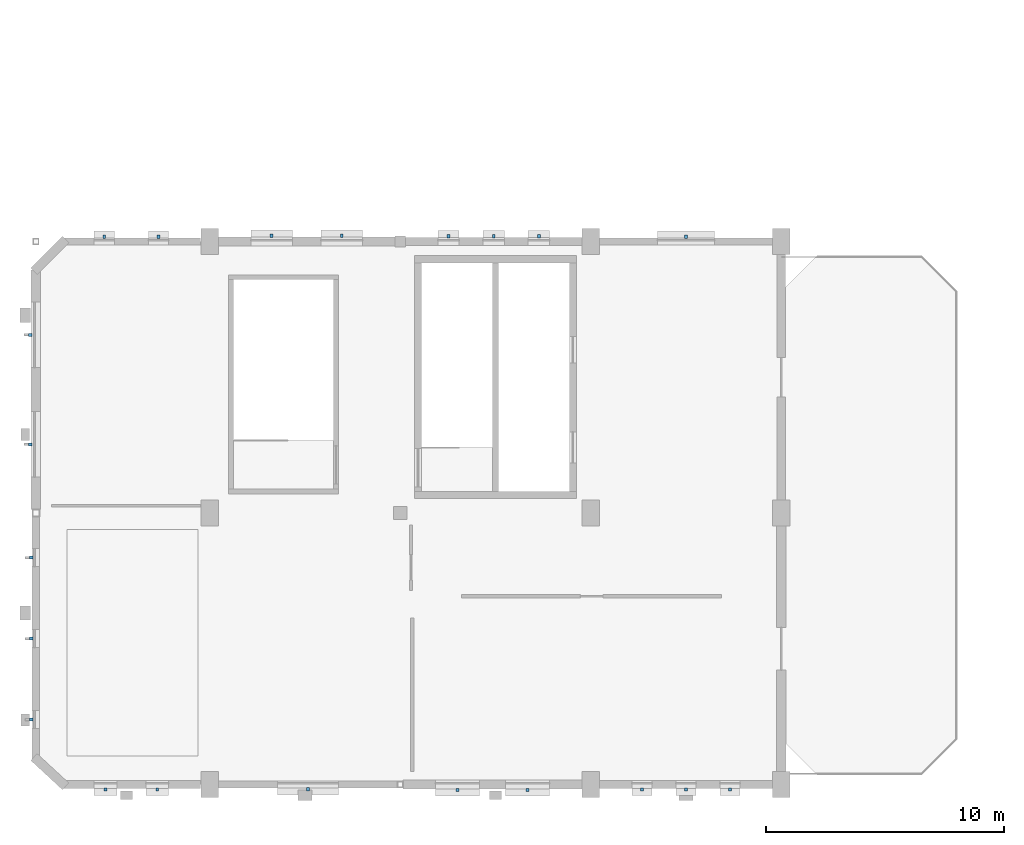
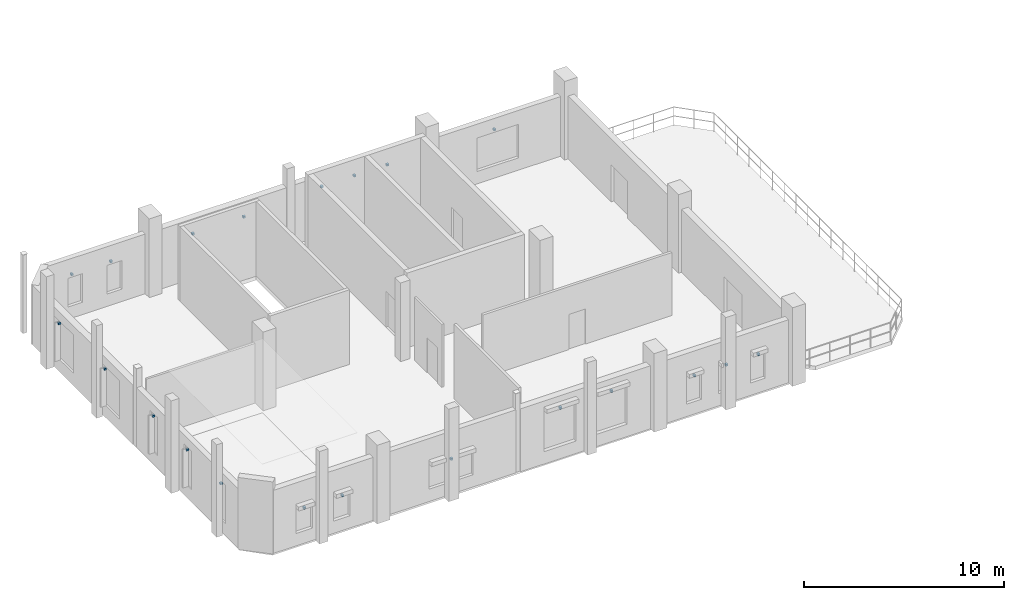
# One storey, part 26 of 28: 21 discrete accessories.
"""IFC4 building model written with IfcOpenShell, lengths in metres."""

import ifcopenshell
import ifcopenshell.guid

model = None  # the IFC model being written
_history = None  # IfcOwnerHistory: only IFC2X3 demands one
_inside = {}  # id of a spatial element -> (the spatial element, [elements in it])
_under = {}  # id of a project, library or spatial element -> (it, [spatial elements below it])
_declared = {}  # id of a project -> (the project, [libraries it declares])
_typed = {}  # id of a type object -> (the type object, [elements of that type])
_made_of = {}  # id of a material, layer set ... -> (it, [elements and type objects made of it])


def new_model(schema):
    """Start an empty IFC model of exactly this schema.

    Asked for "IFC4X3", IfcOpenShell would pick the latest addendum, in which some entities
    have other attributes; the version numbers below select the first issue.
    IFC2X3 requires an IfcOwnerHistory on every rooted entity: one is made here for all.
    """
    global model, _history
    if schema == "IFC4X3":
        model = ifcopenshell.file(schema_version=(4, 3, 0, 0))
    else:
        model = ifcopenshell.file(schema=schema)
    _inside.clear()
    _under.clear()
    _declared.clear()
    _typed.clear()
    _made_of.clear()
    _history = None
    if model.schema == "IFC2X3":
        org = make("IfcOrganization", Name="unknown")
        user = make(
            "IfcPersonAndOrganization",
            ThePerson=make("IfcPerson", FamilyName="unknown"),
            TheOrganization=org,
        )
        app = make(
            "IfcApplication",
            ApplicationDeveloper=org,
            Version="unknown",
            ApplicationFullName="unknown",
            ApplicationIdentifier="unknown",
        )
        _history = make(
            "IfcOwnerHistory",
            OwningUser=user,
            OwningApplication=app,
            ChangeAction="ADDED",
            CreationDate=0,
        )
    return model


def make(cls, **values):
    """One entity of the class cls with the attributes given. An attribute that is None is left unset."""
    return model.create_entity(
        cls, **{name: value for name, value in values.items() if value is not None}
    )


def rooted(cls, **values):
    """An entity with a GlobalId (a new one), such as an element, a storey or a relation."""
    return make(cls, GlobalId=ifcopenshell.guid.new(), OwnerHistory=_history, **values)


def si_unit(unit_type, name, prefix=None):
    """IfcSIUnit, for example si_unit("LENGTHUNIT", "METRE", prefix="MILLI")."""
    return make("IfcSIUnit", UnitType=unit_type, Prefix=prefix, Name=name)


def assignment(units):
    """IfcUnitAssignment: the units of a project."""
    return None if units is None else make("IfcUnitAssignment", Units=units)


def point(xyz):
    """IfcCartesianPoint."""
    return None if xyz is None else make("IfcCartesianPoint", Coordinates=xyz)


def direction(xyz):
    """IfcDirection."""
    return None if xyz is None else make("IfcDirection", DirectionRatios=xyz)


def frame(location, z_axis=None, x_axis=None):
    """IfcAxis2Placement3D, a coordinate frame: its origin and axes. An axis left out is left unset."""
    return make(
        "IfcAxis2Placement3D",
        Location=point(location),
        Axis=direction(z_axis),
        RefDirection=direction(x_axis),
    )


def frame_2d(location, x_axis=None):
    """IfcAxis2Placement2D, a coordinate frame in the plane: its origin and x axis."""
    return make(
        "IfcAxis2Placement2D", Location=point(location), RefDirection=direction(x_axis)
    )


def origin():
    """The frame at (0, 0, 0) with its axes left unset."""
    return frame((0.0, 0.0, 0.0))


def origin_2d():
    """The frame at (0, 0) in the plane with its x axis left unset."""
    return frame_2d((0.0, 0.0))


def place(relative_to, where):
    """IfcLocalPlacement: puts the frame where relative to a parent placement (None: the world)."""
    return make(
        "IfcLocalPlacement", PlacementRelTo=relative_to, RelativePlacement=where
    )


def context(
    kind, dimensions, precision=None, world=None, true_north=None, identifier=None
):
    """IfcGeometricRepresentationContext, for example the 3D "Model" context."""
    return make(
        "IfcGeometricRepresentationContext",
        ContextIdentifier=identifier,
        ContextType=kind,
        CoordinateSpaceDimension=dimensions,
        Precision=precision,
        WorldCoordinateSystem=world,
        TrueNorth=true_north,
    )


def subcontext(parent, identifier, kind, view, scale=None):
    """IfcGeometricRepresentationSubContext, for example "Body" below "Model"."""
    return make(
        "IfcGeometricRepresentationSubContext",
        ContextIdentifier=identifier,
        ContextType=kind,
        ParentContext=parent,
        TargetScale=scale,
        TargetView=view,
    )


def project(units=None, contexts=None):
    """IfcProject with its units and contexts."""
    return rooted(
        "IfcProject",
        Name="project",
        RepresentationContexts=contexts,
        UnitsInContext=assignment(units),
    )


def spatial(cls, under=None, at=None, **own):
    """A site, building, storey or space (cls), placed at a placement, below another one or the project."""
    s = rooted(cls, ObjectPlacement=at, **own)
    if under is not None:
        _under.setdefault(under.id(), (under, []))[1].append(s)
    return s


def profile(cls, at=None, kind="AREA", **sizes):
    """A parametric profile (cls). Its sizes go by their IFC names, for example OverallWidth=200.0."""
    return make(cls, ProfileType=kind, Position=at, **sizes)


def rectangle(**sizes):
    """IfcRectangleProfileDef."""
    return profile("IfcRectangleProfileDef", **sizes)


def extrude(swept, where, along, depth):
    """IfcExtrudedAreaSolid: the profile swept, set in the frame where, extruded along a direction by depth."""
    return make(
        "IfcExtrudedAreaSolid",
        SweptArea=swept,
        Position=where,
        ExtrudedDirection=direction(along),
        Depth=depth,
    )


def shape(context_of_items, identifier, shape_type, items):
    """IfcShapeRepresentation: the items that make up one representation, for example the "Body"."""
    return make(
        "IfcShapeRepresentation",
        ContextOfItems=context_of_items,
        RepresentationIdentifier=identifier,
        RepresentationType=shape_type,
        Items=items,
    )


def material(Name=None, Category=None):
    """IfcMaterial."""
    return make("IfcMaterial", Name=Name, Category=Category)


def made_of(thing, what):
    """Note that an element or type object is made of a material, layer set ...; save() writes the relation."""
    if what is not None:
        _made_of.setdefault(what.id(), (what, []))[1].append(thing)
    return thing


def type_object(cls, material=None, **own):
    """A type object (cls), such as IfcWallType, which elements share."""
    return made_of(rooted(cls, **own), material)


def element(
    cls,
    number,
    at=None,
    inside=None,
    cuts=None,
    type_object=None,
    material=None,
    context=None,
    identifier="Body",
    shape_type=None,
    held_by="IfcProductDefinitionShape",
    body=None,
    shapes=None,
    **own,
):
    """One element of the class cls, such as IfcWall. Its Tag is "e" and its number.

    at: its placement. inside: the storey or other place that contains it. cuts: it is an
    opening in that element (IfcRelVoidsElement). A single representation is given by context,
    identifier, shape_type and body (its items); several are given by shapes. held_by: the class
    of the entity that holds the representations. save() writes the other relations.
    """
    e = rooted(cls, Tag="e%d" % number, ObjectPlacement=at, **own)
    if body is not None:
        shapes = [shape(context, identifier, shape_type, body)]
    if shapes is not None:
        e.Representation = make(held_by, Representations=shapes)
    if inside is not None:
        _inside.setdefault(inside.id(), (inside, []))[1].append(e)
    if cuts is not None:
        rooted(
            "IfcRelVoidsElement", RelatingBuildingElement=cuts, RelatedOpeningElement=e
        )
    if type_object is not None:
        _typed.setdefault(type_object.id(), (type_object, []))[1].append(e)
    return made_of(e, material)


def aggregate(whole, parts):
    """IfcRelAggregates: a whole, such as a stair, and the parts it consists of."""
    return rooted("IfcRelAggregates", RelatingObject=whole, RelatedObjects=parts)


def save(model, path):
    """Write the relations noted so far, then the file.

    IfcRelAggregates (storeys below a building ...), IfcRelContainedInSpatialStructure (elements
    in a storey), IfcRelDefinesByType, IfcRelAssociatesMaterial and IfcRelDeclares: one each for
    every whole, place, type object, material and project.
    """
    for whole, parts in _under.values():
        aggregate(whole, parts)
    for where, things in _inside.values():
        rooted(
            "IfcRelContainedInSpatialStructure",
            RelatedElements=things,
            RelatingStructure=where,
        )
    for kind, things in _typed.values():
        rooted("IfcRelDefinesByType", RelatedObjects=things, RelatingType=kind)
    for what, things in _made_of.values():
        rooted("IfcRelAssociatesMaterial", RelatedObjects=things, RelatingMaterial=what)
    for by, libraries in _declared.values():
        rooted("IfcRelDeclares", RelatingContext=by, RelatedDefinitions=libraries)
    model.write(path)


model = new_model("IFC4")

# Units and contexts
model_context = context("Model", 3, precision=1e-05, world=origin(), true_north=direction((0.0, 1.0)))
body_context = subcontext(model_context, "Body", "Model", "MODEL_VIEW")
ifc_project = project(units=[si_unit("LENGTHUNIT", "METRE"), si_unit("AREAUNIT", "SQUARE_METRE"), si_unit("VOLUMEUNIT", "CUBIC_METRE"), si_unit("PLANEANGLEUNIT", "RADIAN"), si_unit("MASSUNIT", "GRAM", prefix="KILO"), si_unit("POWERUNIT", "WATT"), si_unit("THERMODYNAMICTEMPERATUREUNIT", "KELVIN")], contexts=[model_context])

# Site, building, storey
site_placement = place(None, origin())
site = spatial("IfcSite", under=ifc_project, at=site_placement, CompositionType="ELEMENT")
building_placement = place(site_placement, origin())
building = spatial("IfcBuilding", under=site, at=building_placement, Name="Kelmbourne Parkland Aquatics Centre", CompositionType="ELEMENT")
storey_placement = place(building_placement, frame((0.0, 0.0, 19.199951171875)))
storey = spatial("IfcBuildingStorey", under=building, at=storey_placement, Name="L04", CompositionType="ELEMENT", Elevation=19.199951171875)

# Discrete accessories
ifc_material = material(Name="Hot-dip galvanised structural steel AS/NZS 4680", Category="steel")
discrete_accessory_type = type_object("IfcDiscreteAccessoryType", Name="ACC-BRK-1", PredefinedType="BRACKET", material=ifc_material)
for number, where, z_axis, x_axis, name in (
    (1, (0.5048828125, 3.52490234375, 2.93994140625), (0.0, 0.0, 1.0), (0.0, 1.0, 0.0), "Galvanised sunshade fixing bracket 194"),
    (2, (0.5048828125, 6.924072265625, 2.93994140625), (0.0, 0.0, 1.0), (0.0, 1.0, 0.0), "Galvanised sunshade fixing bracket 195"),
    (3, (0.5048828125, 10.322998046875, 2.93994140625), (0.0, 0.0, 1.0), (0.0, 1.0, 0.0), "Galvanised sunshade fixing bracket 196"),
    (4, (0.465087890625, 15.076904296875, 2.93994140625), (0.0, 0.0, 1.0), (0.0, 1.0, 0.0), "Galvanised sunshade fixing bracket 197"),
    (5, (0.465087890625, 19.675048828125, 2.93994140625), (0.0, 0.0, 1.0), (0.0, 1.0, 0.0), "Galvanised sunshade fixing bracket 198"),
    (6, (3.625, 0.5849609375, 2.139892578125), (0.0, 0.0, 1.0), (1.0, 0.0, 0.0), "Galvanised sunshade fixing bracket 199"),
    (7, (5.798095703125, 0.5849609375, 2.139892578125), (0.0, 0.0, 1.0), (1.0, 0.0, 0.0), "Galvanised sunshade fixing bracket 200"),
    (8, (12.125, 0.60498046875, 2.139892578125), (0.0, 0.0, 1.0), (1.0, 0.0, 0.0), "Galvanised sunshade fixing bracket 201"),
    (9, (18.402099609375, 0.56494140625, 3.090087890625), (0.0, 0.0, 1.0), (1.0, 0.0, 0.0), "Galvanised sunshade fixing bracket 202"),
    (10, (21.347900390625, 0.56494140625, 3.090087890625), (0.0, 0.0, 1.0), (1.0, 0.0, 0.0), "Galvanised sunshade fixing bracket 203"),
    (11, (26.152099609375, 0.5849609375, 2.340087890625), (0.0, 0.0, 1.0), (1.0, 0.0, 0.0), "Galvanised sunshade fixing bracket 204"),
    (12, (28.0, 0.5849609375, 2.340087890625), (0.0, 0.0, 1.0), (1.0, 0.0, 0.0), "Galvanised sunshade fixing bracket 205"),
    (13, (29.847900390625, 0.5849609375, 2.340087890625), (0.0, 0.0, 1.0), (1.0, 0.0, 0.0), "Galvanised sunshade fixing bracket 206"),
    (14, (3.574951171875, 23.794921875, 2.340087890625), (0.0, 0.0, 1.0), (1.0, 0.0, 0.0), "Galvanised sunshade fixing bracket 207"),
    (15, (5.847900390625, 23.794921875, 2.340087890625), (0.0, 0.0, 1.0), (1.0, 0.0, 0.0), "Galvanised sunshade fixing bracket 208"),
    (16, (10.60205078125, 23.8349609375, 2.340087890625), (0.0, 0.0, 1.0), (1.0, 0.0, 0.0), "Galvanised sunshade fixing bracket 209"),
    (17, (13.548095703125, 23.8349609375, 2.340087890625), (0.0, 0.0, 1.0), (1.0, 0.0, 0.0), "Galvanised sunshade fixing bracket 210"),
    (18, (18.027099609375, 23.81494140625, 2.639892578125), (0.0, 0.0, 1.0), (1.0, 0.0, 0.0), "Galvanised sunshade fixing bracket 211"),
    (19, (19.925048828125, 23.81494140625, 2.639892578125), (0.0, 0.0, 1.0), (1.0, 0.0, 0.0), "Galvanised sunshade fixing bracket 212"),
    (20, (21.822998046875, 23.81494140625, 2.639892578125), (0.0, 0.0, 1.0), (1.0, 0.0, 0.0), "Galvanised sunshade fixing bracket 213"),
    (21, (28.0, 23.794921875, 2.639892578125), (0.0, 0.0, 1.0), (1.0, 0.0, 0.0), "Galvanised sunshade fixing bracket 214"),
):
    element("IfcDiscreteAccessory", number, at=place(storey_placement, frame(where, z_axis=z_axis, x_axis=x_axis)), inside=storey, type_object=discrete_accessory_type, Name=name, PredefinedType="BRACKET", context=body_context, shape_type="SweptSolid", body=[
        extrude(rectangle(XDim=0.1201171875, YDim=0.139892578125, at=origin_2d()), origin(), (0.0, 0.0, 1.0), 0.1201171875),
    ])

save(model, "model.ifc")
